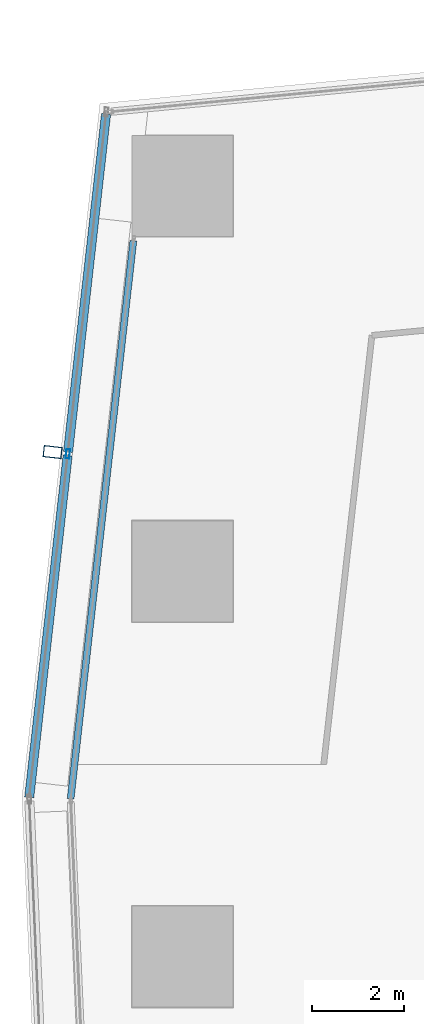
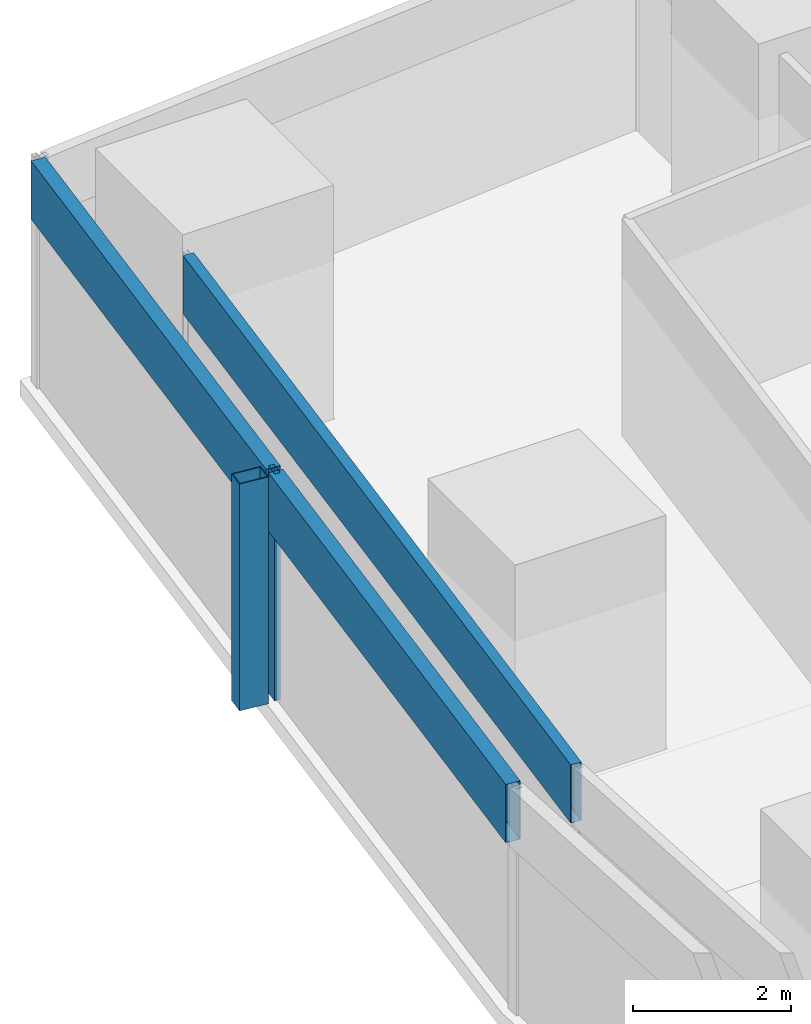
# One storey, part 15 of 42: 5 members, 2 elements without a shape of their own.
"""IFC4 building model written with IfcOpenShell, lengths in metres."""

from ifc_helpers import new_model, si_unit, direction, frame, origin, origin_2d, place, context, subcontext, project, spatial, hollow_rectangle, extrude, material, material_profile, profile_set, type_object, element, aggregate, save


model = new_model("IFC4")

# Units and contexts
model_context = context("Model", 3, precision=1e-05, world=origin(), true_north=direction((0.0, 1.0)))
body_context = subcontext(model_context, "Body", "Model", "MODEL_VIEW")
ifc_project = project(units=[si_unit("LENGTHUNIT", "METRE"), si_unit("AREAUNIT", "SQUARE_METRE"), si_unit("VOLUMEUNIT", "CUBIC_METRE"), si_unit("PLANEANGLEUNIT", "RADIAN"), si_unit("MASSUNIT", "GRAM", prefix="KILO")], contexts=[model_context])

# Site, building, storey
site_placement = place(None, origin())
site = spatial("IfcSite", under=ifc_project, at=site_placement, CompositionType="ELEMENT")
building_placement = place(site_placement, origin())
building = spatial("IfcBuilding", under=site, at=building_placement, Name="Rekha Terrace Tower", CompositionType="ELEMENT")
storey_placement = place(building_placement, frame((0.0, 0.0, 70.39990234375)))
storey = spatial("IfcBuildingStorey", under=building, at=storey_placement, Name="L17", CompositionType="ELEMENT", Elevation=70.39990234375)

# Curtain wall, member
ifc_material_1 = material(Name="Aluminium framing", Category="aluminium")
curtain_wall_type_1 = type_object("IfcCurtainWallType", Name="CW2 double skin outer glazing", PredefinedType="USERDEFINED", material=ifc_material_1)
curtain_wall_1_placement = place(storey_placement, origin())
curtain_wall_1 = element("IfcCurtainWall", 1, at=curtain_wall_1_placement, inside=storey, type_object=curtain_wall_type_1, Name="CW2 double skin outer glazing", ObjectType="DOUBLE SKIN OUTER GLAZING", PredefinedType="USERDEFINED")
ifc_material_2 = material(Name="Steel S355 with fluorocarbon finish", Category="steel")
ifc_material_profile_1 = material_profile(ifc_material_2, hollow_rectangle(XDim=0.25, YDim=0.39990234375, WallThickness=0.012451171875, at=origin_2d()), Name="RHS400x250x12.5")
ifc_profile_set_1 = profile_set([ifc_material_profile_1], Name="Steel S355 with fluorocarbon finish")
member_type_1 = type_object("IfcMemberType", Name="BL1 facade blade RHS 400 x 250", PredefinedType="USERDEFINED", material=ifc_profile_set_1)
member_1_placement = place(storey_placement, frame((5.569580078125, 53.001220703125, 0.0), z_axis=(0.0, 0.0, 1.0), x_axis=(-0.111729096216, -0.993738702607, 0.0)))
member_1 = element("IfcMember", 2, at=member_1_placement, type_object=member_type_1, Name="Facade blade", ObjectType="FACADE BLADE", PredefinedType="USERDEFINED", context=body_context, shape_type="SweptSolid", body=[
    extrude(hollow_rectangle(XDim=0.25, YDim=0.39990234375, WallThickness=0.012451171875, at=origin_2d()), origin(), (0.0, 0.0, 1.0), 3.5),
])

curtain_wall_type_2 = type_object("IfcCurtainWallType", Name="CW1 double skin inner glazing", PredefinedType="USERDEFINED", material=ifc_material_1)
curtain_wall_2_placement = place(storey_placement, origin())
curtain_wall_2 = element("IfcCurtainWall", 3, at=curtain_wall_2_placement, inside=storey, type_object=curtain_wall_type_2, Name="CW1 double skin inner glazing", ObjectType="DOUBLE SKIN INNER GLAZING", PredefinedType="USERDEFINED")
ifc_material_3 = material(Name="Insulated aluminium spandrel box", Category="aluminium")
ifc_material_profile_2 = material_profile(ifc_material_3, hollow_rectangle(XDim=0.14990234375, YDim=0.89990234375, WallThickness=0.0029296875, at=origin_2d()), Name="AL SPANDREL BOX 150x900")
ifc_profile_set_2 = profile_set([ifc_material_profile_2], Name="Insulated aluminium spandrel box")
member_type_2 = type_object("IfcMemberType", Name="CW1 spandrel transom 150 x 900", PredefinedType="USERDEFINED", material=ifc_profile_set_2)
member_2_placement = place(storey_placement, frame((7.33056640625, 57.611083984375, 3.050048828125), z_axis=(-0.111720442276, -0.993739675558, 0.0), x_axis=(0.993739675558, -0.111720442276, 0.0)))
member_2 = element("IfcMember", 4, at=member_2_placement, type_object=member_type_2, Name="CW1 spandrel transom 1", ObjectType="TRANSOM", PredefinedType="USERDEFINED", context=body_context, shape_type="SweptSolid", body=[
    extrude(hollow_rectangle(XDim=0.14990234375, YDim=0.89990234375, WallThickness=0.0029296875, at=origin_2d()), origin(), (0.0, 0.0, 1.0), 12.244140625),
])
aggregate(curtain_wall_2, [member_2])

# Member
ifc_material_4 = material(Name="Aluminium mullion section", Category="aluminium")
ifc_material_profile_3 = material_profile(ifc_material_4, hollow_rectangle(XDim=0.080078125, YDim=0.199951171875, WallThickness=0.00390625, at=origin_2d()), Name="AL RHS 80x200")
ifc_profile_set_3 = profile_set([ifc_material_profile_3], Name="Aluminium mullion section")
member_type_3 = type_object("IfcMemberType", Name="CW2 mullion RHS 80 x 200", PredefinedType="MULLION", material=ifc_profile_set_3)
member_3_placement = place(storey_placement, frame((5.90234375, 52.9638671875, 0.0), z_axis=(0.0, 0.0, 1.0), x_axis=(0.99373861552, -0.111729870782, 0.0)))
member_3 = element("IfcMember", 5, at=member_3_placement, type_object=member_type_3, Name="CW2 mullion 2", PredefinedType="MULLION", context=body_context, shape_type="SweptSolid", body=[
    extrude(hollow_rectangle(XDim=0.080078125, YDim=0.199951171875, WallThickness=0.00390625, at=origin_2d()), origin(), (0.0, 0.0, 1.0), 3.5),
])

ifc_material_profile_4 = material_profile(ifc_material_3, hollow_rectangle(XDim=0.199951171875, YDim=0.89990234375, WallThickness=0.0029296875, at=origin_2d()), Name="AL SPANDREL BOX 200x900")
ifc_profile_set_4 = profile_set([ifc_material_profile_4], Name="Insulated aluminium spandrel box")
member_type_4 = type_object("IfcMemberType", Name="CW2 spandrel transom 200 x 900", PredefinedType="USERDEFINED", material=ifc_profile_set_4)
member_4_placement = place(storey_placement, frame((6.735595703125, 60.37353515625, 3.050048828125), z_axis=(-0.111728537773, -0.993738765394, 0.0), x_axis=(0.993738765394, -0.111728537773, 0.0)))
member_4 = element("IfcMember", 6, at=member_4_placement, type_object=member_type_4, Name="CW2 spandrel transom 1", ObjectType="TRANSOM", PredefinedType="USERDEFINED", context=body_context, shape_type="SweptSolid", body=[
    extrude(hollow_rectangle(XDim=0.199951171875, YDim=0.89990234375, WallThickness=0.0029296875, at=origin_2d()), origin(), (0.0, 0.0, 1.0), 7.416259765625),
])

member_5_placement = place(storey_placement, frame((5.89794921875, 52.924072265625, 3.050048828125), z_axis=(-0.111739697795, -0.993737510582, 0.0), x_axis=(0.993737510582, -0.111739697795, 0.0)))
member_5 = element("IfcMember", 7, at=member_5_placement, type_object=member_type_4, Name="CW2 spandrel transom 2", ObjectType="TRANSOM", PredefinedType="USERDEFINED", context=body_context, shape_type="SweptSolid", body=[
    extrude(hollow_rectangle(XDim=0.199951171875, YDim=0.89990234375, WallThickness=0.0029296875, at=origin_2d()), origin(), (0.0, 0.0, 1.0), 7.496337890625),
])

aggregate(curtain_wall_1, [member_3, member_4, member_5, member_1])

save(model, "model.ifc")
